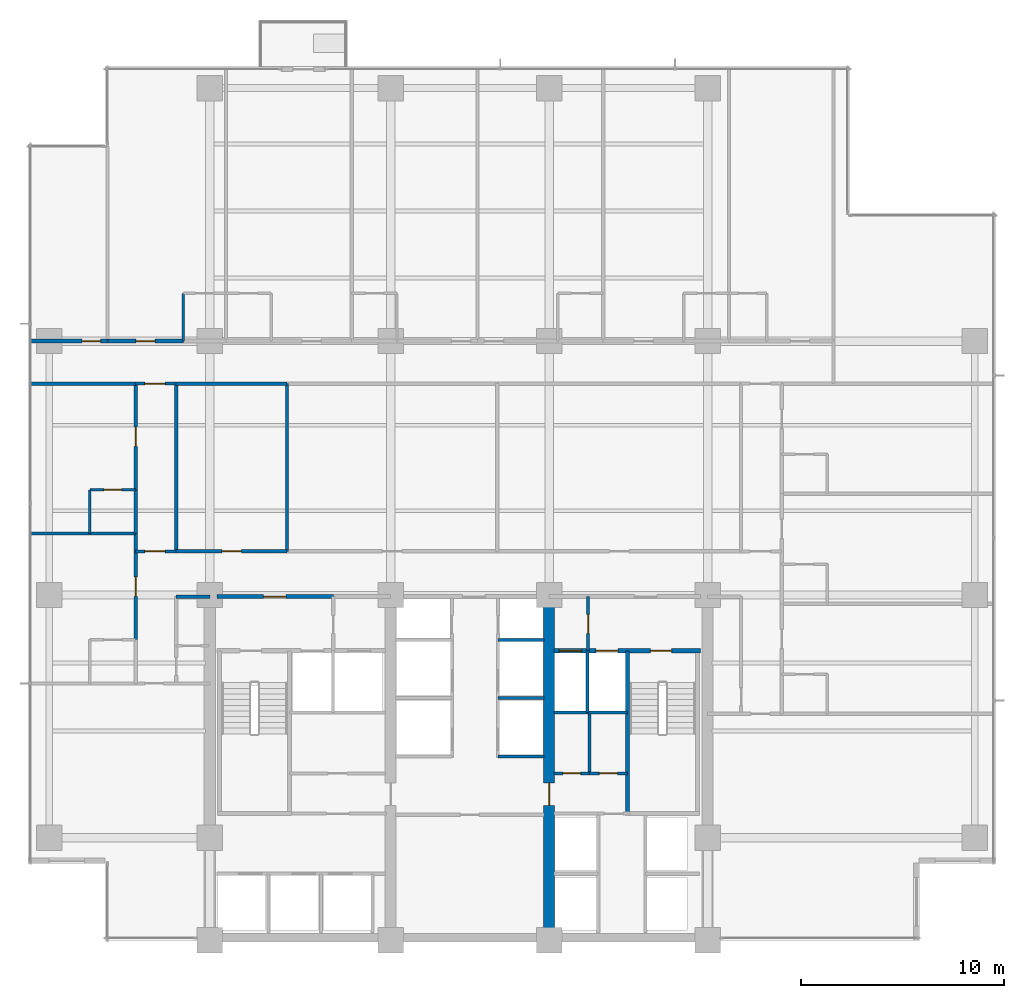
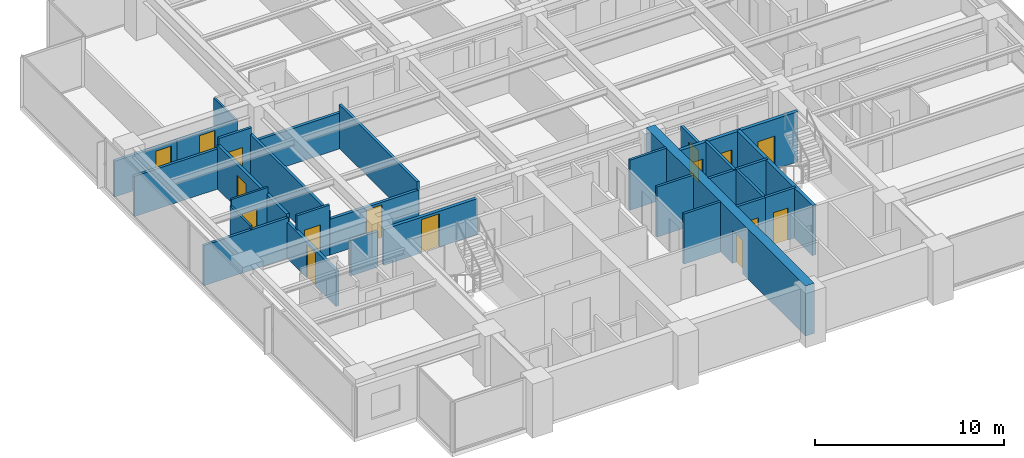
# One storey, part 9 of 17: 30 walls, 16 doors, 16 openings.
"""IFC4 building model written with IfcOpenShell, lengths in metres."""

from ifc_helpers import new_model, si_unit, direction, frame, frame_2d, origin, place, context, subcontext, project, spatial, rectangle, extrude, material, layer, layer_set, type_object, element, fill, save


model = new_model("IFC4")

# Units and contexts
model_context = context("Model", 3, precision=1e-05, world=origin(), true_north=direction((0.0, 1.0)))
body_context = subcontext(model_context, "Body", "Model", "MODEL_VIEW")
ifc_project = project(units=[si_unit("LENGTHUNIT", "METRE"), si_unit("AREAUNIT", "SQUARE_METRE"), si_unit("VOLUMEUNIT", "CUBIC_METRE"), si_unit("PLANEANGLEUNIT", "RADIAN"), si_unit("MASSUNIT", "GRAM", prefix="KILO")], contexts=[model_context])

# Site, building, storey
site_placement = place(None, origin())
site = spatial("IfcSite", under=ifc_project, at=site_placement, CompositionType="ELEMENT")
building_placement = place(site_placement, origin())
building = spatial("IfcBuilding", under=site, at=building_placement, Name="Qalmaran Belvedere Hotel", CompositionType="ELEMENT")
storey_placement = place(building_placement, frame((0.0, 0.0, 105.699951171875)))
storey = spatial("IfcBuildingStorey", under=building, at=storey_placement, Name="L26", CompositionType="ELEMENT", Elevation=105.699951171875)

# Wall, opening, door
ifc_material_1 = material(Name="Concrete C60/75", Category="concrete")
ifc_layer_1 = layer(ifc_material_1, 0.550048828125, Name="Concrete C60/75")
ifc_layer_set_1 = layer_set([ifc_layer_1], Name="Concrete C60/75")
wall_type_1 = type_object("IfcWallType", Name="WL-CORE-550-C60", PredefinedType="SHEAR", material=ifc_layer_set_1)
wall_1_placement = place(storey_placement, frame((37.0, 3.5, 0.0), z_axis=(0.0, 0.0, 1.0), x_axis=(0.0, 1.0, 0.0)))
wall_1 = element("IfcWall", 1, at=wall_1_placement, inside=storey, type_object=wall_type_1, Name="L26 Core East Spine Shear Wall", PredefinedType="SHEAR", context=body_context, shape_type="SweptSolid", body=[
    extrude(rectangle(XDim=16.89990234375, YDim=0.550048828125, at=frame_2d((8.449951171875, 0.0))), origin(), (0.0, 0.0, 1.0), 3.239990234375),
])
opening_1_placement = place(wall_1_placement, frame((6.64990234375, 0.0, 0.0)))
opening_1 = element("IfcOpeningElement", 2, at=opening_1_placement, cuts=wall_1, Name="Opening FD90", PredefinedType="OPENING", context=body_context, shape_type="SweptSolid", body=[
    extrude(rectangle(XDim=1.10009765625, YDim=2.14990234375, at=frame_2d((0.550048828125, 1.074951171875))), frame((0.0, 0.28515625, 0.0), z_axis=(0.0, -1.0, 0.0), x_axis=(1.0, 0.0, 0.0)), (0.0, 0.0, 1.0), 0.570068359375),
])
ifc_material_2 = material(Name="Steel S355JR", Category="steel")
door_type_1 = type_object("IfcDoorType", Name="DR-FD90-1100X2150", OperationType="NOTDEFINED", PredefinedType="DOOR", material=ifc_material_2)
door_1_placement = place(opening_1_placement, origin())
door_1 = element("IfcDoor", 3, at=door_1_placement, inside=storey, type_object=door_type_1, Name="L26 Core East Cross-Lobby Door", OperationType="SINGLE_SWING_RIGHT", OverallHeight=2.14990234375, OverallWidth=1.10009765625, PredefinedType="DOOR", context=body_context, shape_type="SweptSolid", body=[
    extrude(rectangle(XDim=1.10009765625, YDim=2.14990234375, at=frame_2d((0.550048828125, 1.074951171875))), frame((0.0, 0.02490234375, 0.0), z_axis=(0.0, -1.0, 0.0), x_axis=(1.0, 0.0, 0.0)), (0.0, 0.0, 1.0), 0.050048828125),
])
fill(opening_1, door_1)

# Wall
ifc_material_3 = material(Name="Moisture-Resistant Gypsum")
ifc_layer_2 = layer(ifc_material_3, 0.1201171875, Name="Moisture-Resistant Gypsum")
ifc_layer_set_2 = layer_set([ifc_layer_2], Name="Moisture-Resistant Gypsum")
wall_type_2 = type_object("IfcWallType", Name="WL-INT-120-BATH", PredefinedType="PARTITIONING", material=ifc_layer_set_2)
wall_2_placement = place(storey_placement, frame((18.99560546875, 33.0, 0.0), z_axis=(0.0, 0.0, 1.0), x_axis=(0.0, 1.0, 0.0)))
element("IfcWall", 4, at=wall_2_placement, inside=storey, type_object=wall_type_2, Name="L26 Partition WL-L26-NBS00", PredefinedType="PARTITIONING", context=body_context, shape_type="SweptSolid", body=[
    extrude(rectangle(XDim=2.35009765625, YDim=0.1201171875, at=frame_2d((1.175048828125, 0.0))), origin(), (0.0, 0.0, 1.0), 2.31298828125),
])

# Wall, opening, door
wall_3_placement = place(storey_placement, frame((14.39990234375, 25.675048828125, 0.0), z_axis=(0.0, 0.0, 1.0), x_axis=(1.0, 0.0, 0.0)))
wall_3 = element("IfcWall", 5, at=wall_3_placement, inside=storey, type_object=wall_type_2, Name="L26 Partition WL-L26-WBN01", PredefinedType="PARTITIONING", context=body_context, shape_type="SweptSolid", body=[
    extrude(rectangle(XDim=2.25, YDim=0.1201171875, at=frame_2d((1.125, 0.0))), origin(), (0.0, 0.0, 1.0), 3.239990234375),
])
opening_2_placement = place(wall_3_placement, frame((1.56494140625, 0.0, 0.0), z_axis=(0.0, 0.0, 1.0), x_axis=(-1.0, 0.0, 0.0)))
opening_2 = element("IfcOpeningElement", 6, at=opening_2_placement, cuts=wall_3, Name="Opening D-BATH", PredefinedType="OPENING", context=body_context, shape_type="SweptSolid", body=[
    extrude(rectangle(XDim=0.8798828125, YDim=2.080078125, at=frame_2d((0.43994140625, 1.0400390625))), frame((0.0, 0.070068359375, 0.0), z_axis=(0.0, -1.0, 0.0), x_axis=(1.0, 0.0, 0.0)), (0.0, 0.0, 1.0), 0.14013671875),
])
ifc_material_4 = material(Name="Engineered Oak Veneer")
door_type_2 = type_object("IfcDoorType", Name="DR-INT-BATH-880X2080", OperationType="NOTDEFINED", PredefinedType="DOOR", material=ifc_material_4)
door_2_placement = place(opening_2_placement, origin())
door_2 = element("IfcDoor", 7, at=door_2_placement, inside=storey, type_object=door_type_2, Name="L26 W Ensuite Door 02", OperationType="SINGLE_SWING_LEFT", OverallHeight=2.080078125, OverallWidth=0.8798828125, PredefinedType="DOOR", context=body_context, shape_type="SweptSolid", body=[
    extrude(rectangle(XDim=0.8798828125, YDim=2.080078125, at=frame_2d((0.43994140625, 1.0400390625))), frame((0.0, 0.02490234375, 0.0), z_axis=(0.0, -1.0, 0.0), x_axis=(1.0, 0.0, 0.0)), (0.0, 0.0, 1.0), 0.050048828125),
])
fill(opening_2, door_2)

# Walls
wall_4_placement = place(storey_placement, frame((14.39990234375, 23.52490234375, 0.0), z_axis=(0.0, 0.0, 1.0), x_axis=(0.0, 1.0, 0.0)))
element("IfcWall", 8, at=wall_4_placement, inside=storey, type_object=wall_type_2, Name="L26 Partition WL-L26-WBS01", PredefinedType="PARTITIONING", context=body_context, shape_type="SweptSolid", body=[
    extrude(rectangle(XDim=2.150146484375, YDim=0.1201171875, at=frame_2d((1.0751953125, 0.0))), origin(), (0.0, 0.0, 1.0), 2.818115234375),
])
ifc_material_5 = material(Name="Gypsum Stud Partition")
ifc_layer_3 = layer(ifc_material_5, 0.14990234375, Name="Gypsum Stud Partition")
ifc_layer_set_3 = layer_set([ifc_layer_3], Name="Gypsum Stud Partition")
wall_type_3 = type_object("IfcWallType", Name="WL-INT-150-EI120", PredefinedType="PARTITIONING", material=ifc_layer_set_3)
wall_5_placement = place(storey_placement, frame((38.8798828125, 14.719970703125, 0.0), z_axis=(0.0, 0.0, 1.0), x_axis=(0.0, 1.0, 0.0)))
element("IfcWall", 9, at=wall_5_placement, inside=storey, type_object=wall_type_3, Name="L26 Partition WL-FF2M-L26", PredefinedType="PARTITIONING", context=body_context, shape_type="SweptSolid", body=[
    extrude(rectangle(XDim=3.0400390625, YDim=0.14990234375, at=frame_2d((1.52001953125, 0.0))), origin(), (0.0, 0.0, 1.0), 3.239990234375),
])
for number, where, z_axis, x_axis, name in (
    (10, (34.47998046875, 12.550048828125, 0.0), (0.0, 0.0, 1.0), (1.0, 0.0, 0.0), "L26 Partition WL-PME-L26-125"),
    (11, (34.47998046875, 15.419921875, 0.0), (0.0, 0.0, 1.0), (1.0, 0.0, 0.0), "L26 Partition WL-PME-L26-154"),
    (12, (34.47998046875, 18.280029296875, 0.0), (0.0, 0.0, 1.0), (1.0, 0.0, 0.0), "L26 Partition WL-PME-L26-182"),
):
    element("IfcWall", number, at=place(storey_placement, frame(where, z_axis=z_axis, x_axis=x_axis)), inside=storey, type_object=wall_type_3, Name=name, PredefinedType="PARTITIONING", context=body_context, shape_type="SweptSolid", body=[
        extrude(rectangle(XDim=2.27001953125, YDim=0.14990234375, at=frame_2d((1.135009765625, 0.0))), origin(), (0.0, 0.0, 1.0), 3.239990234375),
    ])
ifc_layer_4 = layer(ifc_material_5, 0.14990234375, Name="Gypsum Stud Partition")
ifc_layer_set_4 = layer_set([ifc_layer_4], Name="Gypsum Stud Partition")
wall_type_4 = type_object("IfcWallType", Name="WL-INT-150-EI60", PredefinedType="PARTITIONING", material=ifc_layer_set_4)
wall_6_placement = place(storey_placement, frame((38.98291015625, 11.719970703125, 0.0), z_axis=(0.0, 0.0, 1.0), x_axis=(0.0, 1.0, 0.0)))
element("IfcWall", 13, at=wall_6_placement, inside=storey, type_object=wall_type_4, Name="L26 Partition WL-L26-KEV1", PredefinedType="PARTITIONING", context=body_context, shape_type="SweptSolid", body=[
    extrude(rectangle(XDim=2.929931640625, YDim=0.14990234375, at=frame_2d((1.46484375, 0.0))), origin(), (0.0, 0.0, 1.0), 3.239990234375),
])

# Wall, opening, door
wall_7_placement = place(storey_placement, frame((16.64990234375, 22.64990234375, 0.0), z_axis=(0.0, 0.0, 1.0), x_axis=(1.0, 0.0, 0.0)))
wall_7 = element("IfcWall", 14, at=wall_7_placement, inside=storey, type_object=wall_type_4, Name="L26 Partition WL-L26-XCW1", PredefinedType="PARTITIONING", context=body_context, shape_type="SweptSolid", body=[
    extrude(rectangle(XDim=2.0, YDim=0.14990234375, at=frame_2d((1.0, 0.0))), origin(), (0.0, 0.0, 1.0), 3.239990234375),
])
opening_3_placement = place(wall_7_placement, frame((0.449951171875, 0.0, 0.0)))
opening_3 = element("IfcOpeningElement", 15, at=opening_3_placement, cuts=wall_7, Name="Opening FD90B", PredefinedType="OPENING", context=body_context, shape_type="SweptSolid", body=[
    extrude(rectangle(XDim=1.0, YDim=2.14990234375, at=frame_2d((0.5, 1.074951171875))), frame((0.0, 0.0849609375, 0.0), z_axis=(0.0, -1.0, 0.0), x_axis=(1.0, 0.0, 0.0)), (0.0, 0.0, 1.0), 0.169921875),
])
door_type_3 = type_object("IfcDoorType", Name="DR-FD90B-1000X2150", OperationType="NOTDEFINED", PredefinedType="DOOR", material=ifc_material_2)
door_3_placement = place(opening_3_placement, origin())
door_3 = element("IfcDoor", 16, at=door_3_placement, inside=storey, type_object=door_type_3, Name="L26 West Corridor Smoke Door S", OperationType="SINGLE_SWING_RIGHT", OverallHeight=2.14990234375, OverallWidth=1.0, PredefinedType="DOOR", context=body_context, shape_type="SweptSolid", body=[
    extrude(rectangle(XDim=1.0, YDim=2.14990234375, at=frame_2d((0.5, 1.074951171875))), frame((0.0, 0.02490234375, 0.0), z_axis=(0.0, -1.0, 0.0), x_axis=(1.0, 0.0, 0.0)), (0.0, 0.0, 1.0), 0.050048828125),
])
fill(opening_3, door_3)

wall_8_placement = place(storey_placement, frame((16.64990234375, 30.89990234375, 0.0), z_axis=(0.0, 0.0, 1.0), x_axis=(1.0, 0.0, 0.0)))
wall_8 = element("IfcWall", 17, at=wall_8_placement, inside=storey, type_object=wall_type_4, Name="L26 Partition WL-L26-XCW2", PredefinedType="PARTITIONING", context=body_context, shape_type="SweptSolid", body=[
    extrude(rectangle(XDim=2.0, YDim=0.14990234375, at=frame_2d((1.0, 0.0))), origin(), (0.0, 0.0, 1.0), 3.239990234375),
])
opening_4_placement = place(wall_8_placement, frame((0.449951171875, 0.0, 0.0)))
opening_4 = element("IfcOpeningElement", 18, at=opening_4_placement, cuts=wall_8, Name="Opening FD90B", PredefinedType="OPENING", context=body_context, shape_type="SweptSolid", body=[
    extrude(rectangle(XDim=1.0, YDim=2.14990234375, at=frame_2d((0.5, 1.074951171875))), frame((0.0, 0.0849609375, 0.0), z_axis=(0.0, -1.0, 0.0), x_axis=(1.0, 0.0, 0.0)), (0.0, 0.0, 1.0), 0.169921875),
])
door_4_placement = place(opening_4_placement, origin())
door_4 = element("IfcDoor", 19, at=door_4_placement, inside=storey, type_object=door_type_3, Name="L26 West Corridor Smoke Door N", OperationType="SINGLE_SWING_LEFT", OverallHeight=2.14990234375, OverallWidth=1.0, PredefinedType="DOOR", context=body_context, shape_type="SweptSolid", body=[
    extrude(rectangle(XDim=1.0, YDim=2.14990234375, at=frame_2d((0.5, 1.074951171875))), frame((0.0, 0.02490234375, 0.0), z_axis=(0.0, -1.0, 0.0), x_axis=(1.0, 0.0, 0.0)), (0.0, 0.0, 1.0), 0.050048828125),
])
fill(opening_4, door_4)

ifc_layer_5 = layer(ifc_material_5, 0.159912109375, Name="Gypsum Stud Partition")
ifc_layer_set_5 = layer_set([ifc_layer_5], Name="Gypsum Stud Partition")
wall_type_5 = type_object("IfcWallType", Name="WL-INT-160-EI120", PredefinedType="PARTITIONING", material=ifc_layer_set_5)
wall_9_placement = place(storey_placement, frame((38.919921875, 17.760009765625, 0.0), z_axis=(0.0, 0.0, 1.0), x_axis=(0.0, 1.0, 0.0)))
wall_9 = element("IfcWall", 20, at=wall_9_placement, inside=storey, type_object=wall_type_5, Name="L26 Partition WL-FFSV2-L26", PredefinedType="PARTITIONING", context=body_context, shape_type="SweptSolid", body=[
    extrude(rectangle(XDim=2.659912109375, YDim=0.159912109375, at=frame_2d((1.330078125, 0.0))), origin(), (0.0, 0.0, 1.0), 2.614013671875),
])
opening_5_placement = place(wall_9_placement, frame((1.77001953125, 0.0, 0.0), z_axis=(0.0, 0.0, 1.0), x_axis=(-1.0, 0.0, 0.0)))
opening_5 = element("IfcOpeningElement", 21, at=opening_5_placement, cuts=wall_9, Name="Opening FD60S1", PredefinedType="OPENING", context=body_context, shape_type="SweptSolid", body=[
    extrude(rectangle(XDim=0.919921875, YDim=2.080078125, at=frame_2d((0.4599609375, 1.0400390625))), frame((0.0, 0.08984375, 0.0), z_axis=(0.0, -1.0, 0.0), x_axis=(1.0, 0.0, 0.0)), (0.0, 0.0, 1.0), 0.179931640625),
])
door_type_4 = type_object("IfcDoorType", Name="DR-FD60S-920X2080", OperationType="NOTDEFINED", PredefinedType="DOOR", material=ifc_material_4)
door_5_placement = place(opening_5_placement, origin())
door_5 = element("IfcDoor", 22, at=door_5_placement, inside=storey, type_object=door_type_4, Name="L26 Service Lobby East Door", OperationType="SINGLE_SWING_RIGHT", OverallHeight=2.080078125, OverallWidth=0.919921875, PredefinedType="DOOR", context=body_context, shape_type="SweptSolid", body=[
    extrude(rectangle(XDim=0.919921875, YDim=2.080078125, at=frame_2d((0.4599609375, 1.0400390625))), frame((0.0, 0.02490234375, 0.0), z_axis=(0.0, -1.0, 0.0), x_axis=(1.0, 0.0, 0.0)), (0.0, 0.0, 1.0), 0.050048828125),
])
fill(opening_5, door_5)

# Wall
wall_10_placement = place(storey_placement, frame((37.25, 14.719970703125, 0.0), z_axis=(0.0, 0.0, 1.0), x_axis=(1.0, 0.0, 0.0)))
element("IfcWall", 23, at=wall_10_placement, inside=storey, type_object=wall_type_5, Name="L26 Partition WL-FF2S-L26", PredefinedType="PARTITIONING", context=body_context, shape_type="SweptSolid", body=[
    extrude(rectangle(XDim=3.610107421875, YDim=0.159912109375, at=frame_2d((1.80517578125, 0.0))), origin(), (0.0, 0.0, 1.0), 3.239990234375),
])

# Wall, opening, door
ifc_layer_6 = layer(ifc_material_5, 0.159912109375, Name="Gypsum Stud Partition")
ifc_layer_set_6 = layer_set([ifc_layer_6], Name="Gypsum Stud Partition")
wall_type_6 = type_object("IfcWallType", Name="WL-INT-160-EI60", PredefinedType="PARTITIONING", material=ifc_layer_set_6)
wall_11_placement = place(storey_placement, frame((37.25, 11.719970703125, 0.0), z_axis=(0.0, 0.0, 1.0), x_axis=(1.0, 0.0, 0.0)))
wall_11 = element("IfcWall", 24, at=wall_11_placement, inside=storey, type_object=wall_type_6, Name="L26 Partition WL-L26-KEE1", PredefinedType="PARTITIONING", context=body_context, shape_type="SweptSolid", body=[
    extrude(rectangle(XDim=1.73291015625, YDim=0.159912109375, at=frame_2d((0.866455078125, 0.0))), origin(), (0.0, 0.0, 1.0), 3.239990234375),
])
opening_6_placement = place(wall_11_placement, frame((0.426513671875, 0.0, 0.0)))
opening_6 = element("IfcOpeningElement", 25, at=opening_6_placement, cuts=wall_11, Name="Opening FD60B", PredefinedType="OPENING", context=body_context, shape_type="SweptSolid", body=[
    extrude(rectangle(XDim=0.8798828125, YDim=2.080078125, at=frame_2d((0.43994140625, 1.0400390625))), frame((0.0, 0.08984375, 0.0), z_axis=(0.0, -1.0, 0.0), x_axis=(1.0, 0.0, 0.0)), (0.0, 0.0, 1.0), 0.179931640625),
])
door_type_5 = type_object("IfcDoorType", Name="DR-FD60B-880X2080", OperationType="NOTDEFINED", PredefinedType="DOOR", material=ifc_material_2)
door_6_placement = place(opening_6_placement, origin())
door_6 = element("IfcDoor", 26, at=door_6_placement, inside=storey, type_object=door_type_5, Name="L26 Cleaner Equipment Store Door", OperationType="SINGLE_SWING_LEFT", OverallHeight=2.080078125, OverallWidth=0.8798828125, PredefinedType="DOOR", context=body_context, shape_type="SweptSolid", body=[
    extrude(rectangle(XDim=0.8798828125, YDim=2.080078125, at=frame_2d((0.43994140625, 1.0400390625))), frame((0.0, 0.02490234375, 0.0), z_axis=(0.0, -1.0, 0.0), x_axis=(1.0, 0.0, 0.0)), (0.0, 0.0, 1.0), 0.050048828125),
])
fill(opening_6, door_6)

wall_12_placement = place(storey_placement, frame((38.98291015625, 11.719970703125, 0.0), z_axis=(0.0, 0.0, 1.0), x_axis=(1.0, 0.0, 0.0)))
wall_12 = element("IfcWall", 27, at=wall_12_placement, inside=storey, type_object=wall_type_6, Name="L26 Partition WL-L26-KEE2", PredefinedType="PARTITIONING", context=body_context, shape_type="SweptSolid", body=[
    extrude(rectangle(XDim=1.877197265625, YDim=0.159912109375, at=frame_2d((0.9384765625, 0.0))), origin(), (0.0, 0.0, 1.0), 3.239990234375),
])
opening_7_placement = place(wall_12_placement, frame((0.49853515625, 0.0, 0.0)))
opening_7 = element("IfcOpeningElement", 28, at=opening_7_placement, cuts=wall_12, Name="Opening FD60B", PredefinedType="OPENING", context=body_context, shape_type="SweptSolid", body=[
    extrude(rectangle(XDim=0.8798828125, YDim=2.080078125, at=frame_2d((0.43994140625, 1.0400390625))), frame((0.0, 0.08984375, 0.0), z_axis=(0.0, -1.0, 0.0), x_axis=(1.0, 0.0, 0.0)), (0.0, 0.0, 1.0), 0.179931640625),
])
door_7_placement = place(opening_7_placement, origin())
door_7 = element("IfcDoor", 29, at=door_7_placement, inside=storey, type_object=door_type_5, Name="L26 Low Voltage Switch Room Door", OperationType="SINGLE_SWING_RIGHT", OverallHeight=2.080078125, OverallWidth=0.8798828125, PredefinedType="DOOR", context=body_context, shape_type="SweptSolid", body=[
    extrude(rectangle(XDim=0.8798828125, YDim=2.080078125, at=frame_2d((0.43994140625, 1.0400390625))), frame((0.0, 0.02490234375, 0.0), z_axis=(0.0, -1.0, 0.0), x_axis=(1.0, 0.0, 0.0)), (0.0, 0.0, 1.0), 0.050048828125),
])
fill(opening_7, door_7)

# Walls
wall_13_placement = place(storey_placement, frame((18.64990234375, 20.419921875, 0.0), z_axis=(0.0, 0.0, 1.0), x_axis=(1.0, 0.0, 0.0)))
element("IfcWall", 30, at=wall_13_placement, inside=storey, type_object=wall_type_6, Name="L26 Partition WL-L26-WCLN", PredefinedType="PARTITIONING", context=body_context, shape_type="SweptSolid", body=[
    extrude(rectangle(XDim=1.650146484375, YDim=0.159912109375, at=frame_2d((0.8251953125, 0.0))), origin(), (0.0, 0.0, 1.0), 2.31298828125),
])
for number, where, z_axis, x_axis, name in (
    (31, (18.64990234375, 22.64990234375, 0.0), (0.0, 0.0, 1.0), (0.0, 1.0, 0.0), "L26 Partition WL-L26-MIDVL"),
    (32, (24.10009765625, 22.64990234375, 0.0), (0.0, 0.0, 1.0), (0.0, 1.0, 0.0), "L26 Partition WL-L26-MIDVR1"),
):
    element("IfcWall", number, at=place(storey_placement, frame(where, z_axis=z_axis, x_axis=x_axis)), inside=storey, type_object=wall_type_6, Name=name, PredefinedType="PARTITIONING", context=body_context, shape_type="SweptSolid", body=[
        extrude(rectangle(XDim=8.25, YDim=0.159912109375, at=frame_2d((4.125, 0.0))), origin(), (0.0, 0.0, 1.0), 2.818115234375),
    ])
for number, where, z_axis, x_axis, name in (
    (33, (11.469970703125, 23.52490234375, 0.0), (0.0, 0.0, 1.0), (1.0, 0.0, 0.0), "L26 Partition WL-L26-WU00"),
    (34, (11.469970703125, 30.89990234375, 0.0), (0.0, 0.0, 1.0), (1.0, 0.0, 0.0), "L26 Partition WL-L26-WU01"),
):
    element("IfcWall", number, at=place(storey_placement, frame(where, z_axis=z_axis, x_axis=x_axis)), inside=storey, type_object=wall_type_6, Name=name, PredefinedType="PARTITIONING", context=body_context, shape_type="SweptSolid", body=[
        extrude(rectangle(XDim=5.179931640625, YDim=0.159912109375, at=frame_2d((2.58984375, 0.0))), origin(), (0.0, 0.0, 1.0), 2.60302734375),
    ])

# Wall, opening, door
ifc_layer_7 = layer(ifc_material_5, 0.179931640625, Name="Gypsum Stud Partition")
ifc_layer_set_7 = layer_set([ifc_layer_7], Name="Gypsum Stud Partition")
wall_type_7 = type_object("IfcWallType", Name="WL-INT-180-EI60", PredefinedType="PARTITIONING", material=ifc_layer_set_7)
wall_14_placement = place(storey_placement, frame((18.64990234375, 22.64990234375, 0.0), z_axis=(0.0, 0.0, 1.0), x_axis=(1.0, 0.0, 0.0)))
wall_14 = element("IfcWall", 35, at=wall_14_placement, inside=storey, type_object=wall_type_7, Name="L26 Partition WL-L26-MIDD1", PredefinedType="PARTITIONING", context=body_context, shape_type="SweptSolid", body=[
    extrude(rectangle(XDim=5.4501953125, YDim=0.179931640625, at=frame_2d((2.72509765625, 0.0))), origin(), (0.0, 0.0, 1.0), 2.31298828125),
])
opening_8_placement = place(wall_14_placement, frame((2.25, 0.0, 0.0)))
opening_8 = element("IfcOpeningElement", 36, at=opening_8_placement, cuts=wall_14, Name="Opening FD60", PredefinedType="OPENING", context=body_context, shape_type="SweptSolid", body=[
    extrude(rectangle(XDim=0.949951171875, YDim=2.14990234375, at=frame_2d((0.47509765625, 1.074951171875))), frame((0.0, 0.10009765625, 0.0), z_axis=(0.0, -1.0, 0.0), x_axis=(1.0, 0.0, 0.0)), (0.0, 0.0, 1.0), 0.199951171875),
])
door_type_6 = type_object("IfcDoorType", Name="DR-FD60-950X2150", OperationType="NOTDEFINED", PredefinedType="DOOR", material=ifc_material_4)
door_8_placement = place(opening_8_placement, origin())
door_8 = element("IfcDoor", 37, at=door_8_placement, inside=storey, type_object=door_type_6, Name="L26 Housekeeping and Linen Room Door", OperationType="SINGLE_SWING_RIGHT", OverallHeight=2.14990234375, OverallWidth=0.949951171875, PredefinedType="DOOR", context=body_context, shape_type="SweptSolid", body=[
    extrude(rectangle(XDim=0.949951171875, YDim=2.14990234375, at=frame_2d((0.47509765625, 1.074951171875))), frame((0.0, 0.02490234375, 0.0), z_axis=(0.0, -1.0, 0.0), x_axis=(1.0, 0.0, 0.0)), (0.0, 0.0, 1.0), 0.050048828125),
])
fill(opening_8, door_8)

# Wall
wall_15_placement = place(storey_placement, frame((18.64990234375, 30.89990234375, 0.0), z_axis=(0.0, 0.0, 1.0), x_axis=(1.0, 0.0, 0.0)))
element("IfcWall", 38, at=wall_15_placement, inside=storey, type_object=wall_type_7, Name="L26 Partition WL-L26-MIDO1", PredefinedType="PARTITIONING", context=body_context, shape_type="SweptSolid", body=[
    extrude(rectangle(XDim=5.4501953125, YDim=0.179931640625, at=frame_2d((2.72509765625, 0.0))), origin(), (0.0, 0.0, 1.0), 2.31298828125),
])

# Wall, opening, door
wall_16_placement = place(storey_placement, frame((15.27001953125, 33.0, 0.0), z_axis=(0.0, 0.0, 1.0), x_axis=(1.0, 0.0, 0.0)))
wall_16 = element("IfcWall", 39, at=wall_16_placement, inside=storey, type_object=wall_type_7, Name="L26 Partition WL-L26-NEC00", PredefinedType="PARTITIONING", context=body_context, shape_type="SweptSolid", body=[
    extrude(rectangle(XDim=3.7255859375, YDim=0.179931640625, at=frame_2d((1.86279296875, 0.0))), origin(), (0.0, 0.0, 1.0), 2.31298828125),
])
opening_9_placement = place(wall_16_placement, frame((1.3876953125, 0.0, 0.0)))
opening_9 = element("IfcOpeningElement", 40, at=opening_9_placement, cuts=wall_16, Name="Opening FD60", PredefinedType="OPENING", context=body_context, shape_type="SweptSolid", body=[
    extrude(rectangle(XDim=0.949951171875, YDim=2.14990234375, at=frame_2d((0.47509765625, 1.074951171875))), frame((0.0, 0.10009765625, 0.0), z_axis=(0.0, -1.0, 0.0), x_axis=(1.0, 0.0, 0.0)), (0.0, 0.0, 1.0), 0.199951171875),
])
door_9_placement = place(opening_9_placement, origin())
door_9 = element("IfcDoor", 41, at=door_9_placement, inside=storey, type_object=door_type_6, Name="L26 Guest Entrance Door N01", OperationType="SINGLE_SWING_RIGHT", OverallHeight=2.14990234375, OverallWidth=0.949951171875, PredefinedType="DOOR", context=body_context, shape_type="SweptSolid", body=[
    extrude(rectangle(XDim=0.949951171875, YDim=2.14990234375, at=frame_2d((0.47509765625, 1.074951171875))), frame((0.0, 0.02490234375, 0.0), z_axis=(0.0, -1.0, 0.0), x_axis=(1.0, 0.0, 0.0)), (0.0, 0.0, 1.0), 0.050048828125),
])
fill(opening_9, door_9)

wall_17_placement = place(storey_placement, frame((16.64990234375, 18.300048828125, 0.0), z_axis=(0.0, 0.0, 1.0), x_axis=(0.0, 1.0, 0.0)))
wall_17 = element("IfcWall", 42, at=wall_17_placement, inside=storey, type_object=wall_type_7, Name="L26 Partition WL-L26-WEC00", PredefinedType="PARTITIONING", context=body_context, shape_type="SweptSolid", body=[
    extrude(rectangle(XDim=5.224853515625, YDim=0.179931640625, at=frame_2d((2.6123046875, 0.0))), origin(), (0.0, 0.0, 1.0), 2.31298828125),
])
opening_10_placement = place(wall_17_placement, frame((2.137451171875, 0.0, 0.0)))
opening_10 = element("IfcOpeningElement", 43, at=opening_10_placement, cuts=wall_17, Name="Opening FD60", PredefinedType="OPENING", context=body_context, shape_type="SweptSolid", body=[
    extrude(rectangle(XDim=0.949951171875, YDim=2.14990234375, at=frame_2d((0.47509765625, 1.074951171875))), frame((0.0, 0.10009765625, 0.0), z_axis=(0.0, -1.0, 0.0), x_axis=(1.0, 0.0, 0.0)), (0.0, 0.0, 1.0), 0.199951171875),
])
door_10_placement = place(opening_10_placement, origin())
door_10 = element("IfcDoor", 44, at=door_10_placement, inside=storey, type_object=door_type_6, Name="L26 W Wing Door 01", OperationType="SINGLE_SWING_RIGHT", OverallHeight=2.14990234375, OverallWidth=0.949951171875, PredefinedType="DOOR", context=body_context, shape_type="SweptSolid", body=[
    extrude(rectangle(XDim=0.949951171875, YDim=2.14990234375, at=frame_2d((0.47509765625, 1.074951171875))), frame((0.0, 0.02490234375, 0.0), z_axis=(0.0, -1.0, 0.0), x_axis=(1.0, 0.0, 0.0)), (0.0, 0.0, 1.0), 0.050048828125),
])
fill(opening_10, door_10)

# Wall
wall_18_placement = place(storey_placement, frame((16.64990234375, 23.52490234375, 0.0), z_axis=(0.0, 0.0, 1.0), x_axis=(0.0, 1.0, 0.0)))
element("IfcWall", 45, at=wall_18_placement, inside=storey, type_object=wall_type_7, Name="L26 Partition WL-L26-WBC01", PredefinedType="PARTITIONING", context=body_context, shape_type="SweptSolid", body=[
    extrude(rectangle(XDim=2.150146484375, YDim=0.179931640625, at=frame_2d((1.0751953125, 0.0))), origin(), (0.0, 0.0, 1.0), 2.818115234375),
])

# Wall, opening, door
wall_19_placement = place(storey_placement, frame((16.64990234375, 25.675048828125, 0.0), z_axis=(0.0, 0.0, 1.0), x_axis=(0.0, 1.0, 0.0)))
wall_19 = element("IfcWall", 46, at=wall_19_placement, inside=storey, type_object=wall_type_7, Name="L26 Partition WL-L26-WEC01", PredefinedType="PARTITIONING", context=body_context, shape_type="SweptSolid", body=[
    extrude(rectangle(XDim=5.224853515625, YDim=0.179931640625, at=frame_2d((2.6123046875, 0.0))), origin(), (0.0, 0.0, 1.0), 2.818115234375),
])
opening_11_placement = place(wall_19_placement, frame((2.137451171875, 0.0, 0.0)))
opening_11 = element("IfcOpeningElement", 47, at=opening_11_placement, cuts=wall_19, Name="Opening FD60", PredefinedType="OPENING", context=body_context, shape_type="SweptSolid", body=[
    extrude(rectangle(XDim=0.949951171875, YDim=2.14990234375, at=frame_2d((0.47509765625, 1.074951171875))), frame((0.0, 0.10009765625, 0.0), z_axis=(0.0, -1.0, 0.0), x_axis=(1.0, 0.0, 0.0)), (0.0, 0.0, 1.0), 0.199951171875),
])
door_11_placement = place(opening_11_placement, origin())
door_11 = element("IfcDoor", 48, at=door_11_placement, inside=storey, type_object=door_type_6, Name="L26 W Wing Door 02", OperationType="SINGLE_SWING_RIGHT", OverallHeight=2.14990234375, OverallWidth=0.949951171875, PredefinedType="DOOR", context=body_context, shape_type="SweptSolid", body=[
    extrude(rectangle(XDim=0.949951171875, YDim=2.14990234375, at=frame_2d((0.47509765625, 1.074951171875))), frame((0.0, 0.02490234375, 0.0), z_axis=(0.0, -1.0, 0.0), x_axis=(1.0, 0.0, 0.0)), (0.0, 0.0, 1.0), 0.050048828125),
])
fill(opening_11, door_11)

wall_20_placement = place(storey_placement, frame((11.469970703125, 33.0, 0.0), z_axis=(0.0, 0.0, 1.0), x_axis=(1.0, 0.0, 0.0)))
wall_20 = element("IfcWall", 49, at=wall_20_placement, inside=storey, type_object=wall_type_7, Name="L26 Partition WL-L26-NWSD", PredefinedType="PARTITIONING", context=body_context, shape_type="SweptSolid", body=[
    extrude(rectangle(XDim=3.800048828125, YDim=0.179931640625, at=frame_2d((1.89990234375, 0.0))), origin(), (0.0, 0.0, 1.0), 2.31298828125),
])
opening_12_placement = place(wall_20_placement, frame((2.543701171875, 0.0, 0.0)))
opening_12 = element("IfcOpeningElement", 50, at=opening_12_placement, cuts=wall_20, Name="Opening FD60S1", PredefinedType="OPENING", context=body_context, shape_type="SweptSolid", body=[
    extrude(rectangle(XDim=0.919921875, YDim=2.080078125, at=frame_2d((0.4599609375, 1.0400390625))), frame((0.0, 0.10009765625, 0.0), z_axis=(0.0, -1.0, 0.0), x_axis=(1.0, 0.0, 0.0)), (0.0, 0.0, 1.0), 0.199951171875),
])
door_12_placement = place(opening_12_placement, origin())
door_12 = element("IfcDoor", 51, at=door_12_placement, inside=storey, type_object=door_type_4, Name="L26 NW Belvedere Study Door", OperationType="SINGLE_SWING_LEFT", OverallHeight=2.080078125, OverallWidth=0.919921875, PredefinedType="DOOR", context=body_context, shape_type="SweptSolid", body=[
    extrude(rectangle(XDim=0.919921875, YDim=2.080078125, at=frame_2d((0.4599609375, 1.0400390625))), frame((0.0, 0.02490234375, 0.0), z_axis=(0.0, -1.0, 0.0), x_axis=(1.0, 0.0, 0.0)), (0.0, 0.0, 1.0), 0.050048828125),
])
fill(opening_12, door_12)

ifc_material_6 = material(Name="Concrete C30/37 Blockwork", Category="masonry")
ifc_layer_8 = layer(ifc_material_6, 0.199951171875, Name="Concrete C30/37 Blockwork")
ifc_layer_set_8 = layer_set([ifc_layer_8], Name="Concrete C30/37 Blockwork")
wall_type_8 = type_object("IfcWallType", Name="WL-INT-200-EI120", PredefinedType="PARTITIONING", material=ifc_layer_set_8)
wall_21_placement = place(storey_placement, frame((20.64990234375, 20.419921875, 0.0), z_axis=(0.0, 0.0, 1.0), x_axis=(1.0, 0.0, 0.0)))
wall_21 = element("IfcWall", 52, at=wall_21_placement, inside=storey, type_object=wall_type_8, Name="L26 Partition WL-CN1A-L26", PredefinedType="PARTITIONING", context=body_context, shape_type="SweptSolid", body=[
    extrude(rectangle(XDim=5.72998046875, YDim=0.199951171875, at=frame_2d((2.864990234375, 0.0))), origin(), (0.0, 0.0, 1.0), 2.31298828125),
])
opening_13_placement = place(wall_21_placement, frame((2.300048828125, 0.0, 0.0)))
opening_13 = element("IfcOpeningElement", 53, at=opening_13_placement, cuts=wall_21, Name="Opening FD90", PredefinedType="OPENING", context=body_context, shape_type="SweptSolid", body=[
    extrude(rectangle(XDim=1.10009765625, YDim=2.14990234375, at=frame_2d((0.550048828125, 1.074951171875))), frame((0.0, 0.10986328125, 0.0), z_axis=(0.0, -1.0, 0.0), x_axis=(1.0, 0.0, 0.0)), (0.0, 0.0, 1.0), 0.219970703125),
])
door_13_placement = place(opening_13_placement, origin())
door_13 = element("IfcDoor", 54, at=door_13_placement, inside=storey, type_object=door_type_1, Name="L26 FF1 Lobby Corridor Door", OperationType="SINGLE_SWING_LEFT", OverallHeight=2.14990234375, OverallWidth=1.10009765625, PredefinedType="DOOR", context=body_context, shape_type="SweptSolid", body=[
    extrude(rectangle(XDim=1.10009765625, YDim=2.14990234375, at=frame_2d((0.550048828125, 1.074951171875))), frame((0.0, 0.02490234375, 0.0), z_axis=(0.0, -1.0, 0.0), x_axis=(1.0, 0.0, 0.0)), (0.0, 0.0, 1.0), 0.050048828125),
])
fill(opening_13, door_13)

# Wall
ifc_material_7 = material(Name="Concrete C50/60", Category="concrete")
ifc_layer_9 = layer(ifc_material_7, 0.2099609375, Name="Concrete C50/60")
ifc_layer_set_9 = layer_set([ifc_layer_9], Name="Concrete C50/60")
wall_type_9 = type_object("IfcWallType", Name="WL-STAIR-210-C50", PredefinedType="SHEAR", material=ifc_layer_set_9)
wall_22_placement = place(storey_placement, frame((40.85498046875, 9.7451171875, 0.0), z_axis=(0.0, 0.0, 1.0), x_axis=(0.0, 1.0, 0.0)))
element("IfcWall", 55, at=wall_22_placement, inside=storey, type_object=wall_type_9, Name="L26 Stair ST-2 West Bearing Wall", PredefinedType="SHEAR", context=body_context, shape_type="SweptSolid", body=[
    extrude(rectangle(XDim=8.009765625, YDim=0.2099609375, at=frame_2d((4.0048828125, 0.0))), origin(), (0.0, 0.0, 1.0), 3.239990234375),
])

# Wall, openings, doors
wall_23_placement = place(storey_placement, frame((37.25, 17.7548828125, 0.0), z_axis=(0.0, 0.0, 1.0), x_axis=(1.0, 0.0, 0.0)))
wall_23 = element("IfcWall", 56, at=wall_23_placement, inside=storey, type_object=wall_type_9, Name="L26 East Lobby and Stair ST-2 North Bearing Wall", PredefinedType="SHEAR", context=body_context, shape_type="SweptSolid", body=[
    extrude(rectangle(XDim=7.199951171875, YDim=0.2099609375, at=frame_2d((3.60009765625, 0.0))), origin(), (0.0, 0.0, 1.0), 3.239990234375),
])
opening_14_placement = place(wall_23_placement, frame((0.25, 0.0, 0.0)))
opening_14 = element("IfcOpeningElement", 57, at=opening_14_placement, cuts=wall_23, Name="Opening LD-SV", PredefinedType="OPENING", context=body_context, shape_type="SweptSolid", body=[
    extrude(rectangle(XDim=1.1201171875, YDim=2.199951171875, at=frame_2d((0.56005859375, 1.10009765625))), frame((0.0, 0.114990234375, 0.0), z_axis=(0.0, -1.0, 0.0), x_axis=(1.0, 0.0, 0.0)), (0.0, 0.0, 1.0), 0.22998046875),
])
opening_15_placement = place(wall_23_placement, frame((2.050048828125, 0.0, 0.0)))
opening_15 = element("IfcOpeningElement", 58, at=opening_15_placement, cuts=wall_23, Name="Opening LD-FF", PredefinedType="OPENING", context=body_context, shape_type="SweptSolid", body=[
    extrude(rectangle(XDim=1.10009765625, YDim=2.179931640625, at=frame_2d((0.550048828125, 1.08984375))), frame((0.0, 0.114990234375, 0.0), z_axis=(0.0, -1.0, 0.0), x_axis=(1.0, 0.0, 0.0)), (0.0, 0.0, 1.0), 0.22998046875),
])
opening_16_placement = place(wall_23_placement, frame((5.780029296875, 0.0, 0.0), z_axis=(0.0, 0.0, 1.0), x_axis=(-1.0, 0.0, 0.0)))
opening_16 = element("IfcOpeningElement", 59, at=opening_16_placement, cuts=wall_23, Name="Opening FD90S2", PredefinedType="OPENING", context=body_context, shape_type="SweptSolid", body=[
    extrude(rectangle(XDim=1.050048828125, YDim=2.14990234375, at=frame_2d((0.52490234375, 1.074951171875))), frame((0.0, 0.114990234375, 0.0), z_axis=(0.0, -1.0, 0.0), x_axis=(1.0, 0.0, 0.0)), (0.0, 0.0, 1.0), 0.22998046875),
])
door_type_7 = type_object("IfcDoorType", Name="DR-FD90S-1050X2150", OperationType="NOTDEFINED", PredefinedType="DOOR", material=ifc_material_2)
door_14_placement = place(opening_16_placement, origin())
door_14 = element("IfcDoor", 60, at=door_14_placement, inside=storey, type_object=door_type_7, Name="L26 Stair ST-2 Door", OperationType="SINGLE_SWING_RIGHT", OverallHeight=2.14990234375, OverallWidth=1.050048828125, PredefinedType="DOOR", context=body_context, shape_type="SweptSolid", body=[
    extrude(rectangle(XDim=1.050048828125, YDim=2.14990234375, at=frame_2d((0.52490234375, 1.074951171875))), frame((0.0, 0.02490234375, 0.0), z_axis=(0.0, -1.0, 0.0), x_axis=(1.0, 0.0, 0.0)), (0.0, 0.0, 1.0), 0.050048828125),
])
fill(opening_16, door_14)
ifc_material_8 = material(Name="Stainless Steel 1.4401", Category="steel")
door_type_8 = type_object("IfcDoorType", Name="DR-LIFT-FF-1100X2180", OperationType="DOUBLE_DOOR_SLIDING", PredefinedType="DOOR", material=ifc_material_8)
door_15_placement = place(opening_15_placement, origin())
door_15 = element("IfcDoor", 61, at=door_15_placement, inside=storey, type_object=door_type_8, Name="L26 FF2 Lift Landing Door", OperationType="DOUBLE_DOOR_SLIDING", OverallHeight=2.179931640625, OverallWidth=1.10009765625, PredefinedType="DOOR", context=body_context, shape_type="SweptSolid", body=[
    extrude(rectangle(XDim=1.10009765625, YDim=2.179931640625, at=frame_2d((0.550048828125, 1.08984375))), frame((0.0, 0.02490234375, 0.0), z_axis=(0.0, -1.0, 0.0), x_axis=(1.0, 0.0, 0.0)), (0.0, 0.0, 1.0), 0.050048828125),
])
fill(opening_15, door_15)
door_type_9 = type_object("IfcDoorType", Name="DR-LIFT-SV-1120X2200", OperationType="DOUBLE_DOOR_SLIDING", PredefinedType="DOOR", material=ifc_material_8)
door_16_placement = place(opening_14_placement, origin())
door_16 = element("IfcDoor", 62, at=door_16_placement, inside=storey, type_object=door_type_9, Name="L26 SV2 Lift Landing Door", OperationType="DOUBLE_DOOR_SLIDING", OverallHeight=2.199951171875, OverallWidth=1.1201171875, PredefinedType="DOOR", context=body_context, shape_type="SweptSolid", body=[
    extrude(rectangle(XDim=1.1201171875, YDim=2.199951171875, at=frame_2d((0.56005859375, 1.10009765625))), frame((0.0, 0.02490234375, 0.0), z_axis=(0.0, -1.0, 0.0), x_axis=(1.0, 0.0, 0.0)), (0.0, 0.0, 1.0), 0.050048828125),
])
fill(opening_14, door_16)

save(model, "model.ifc")
